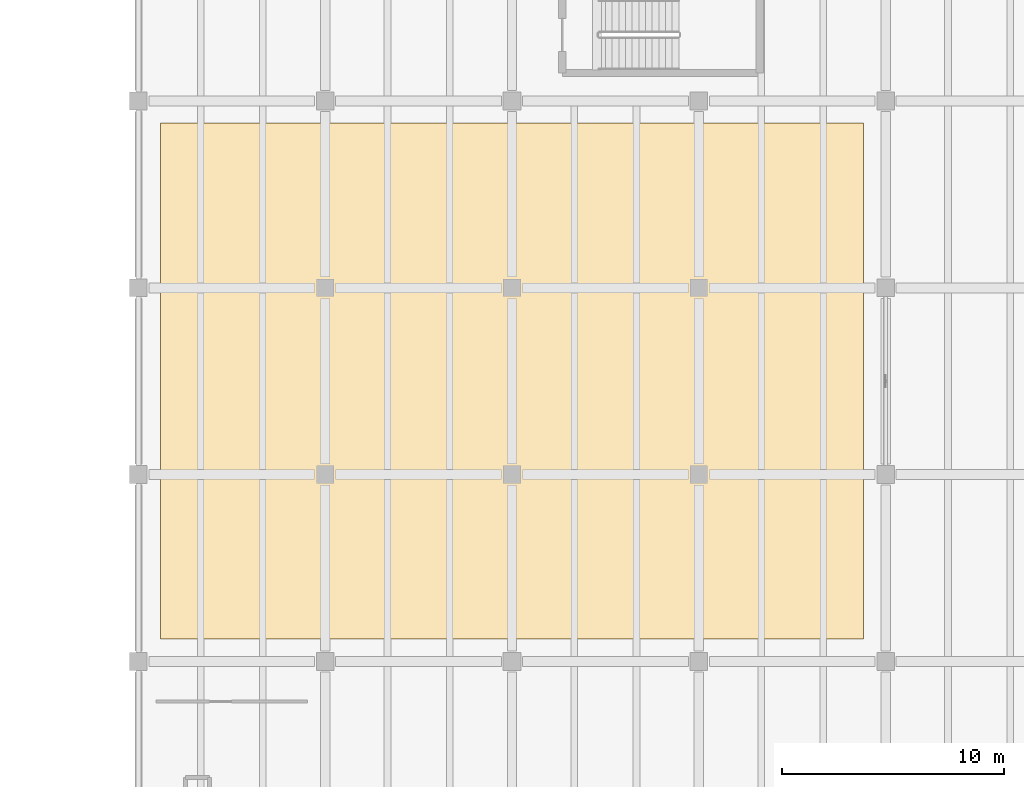
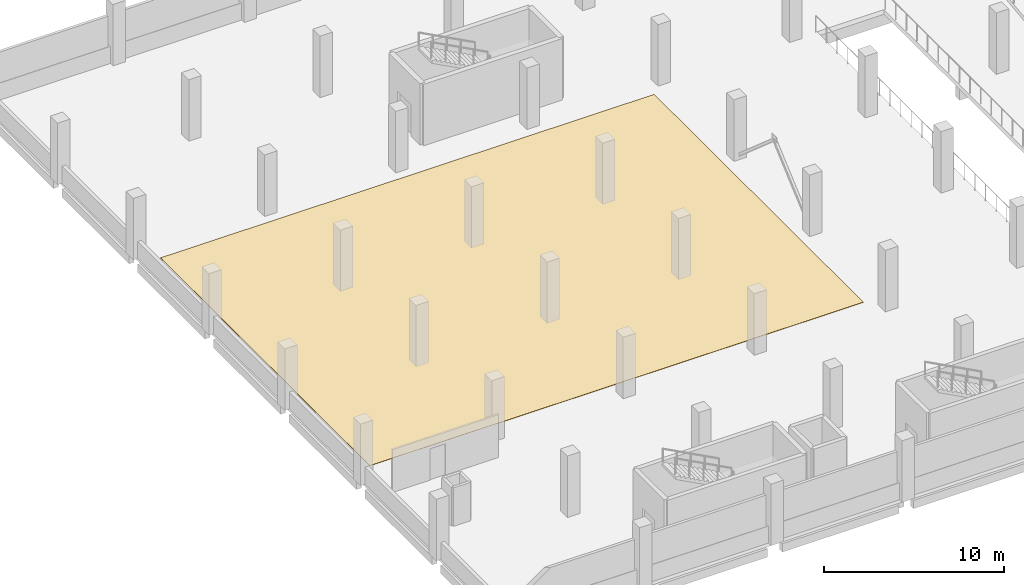
# One storey, part 165 of 177: 1 covering.
"""IFC4 building model written with IfcOpenShell, lengths in metres."""

import ifcopenshell
import ifcopenshell.guid

model = None  # the IFC model being written
_history = None  # IfcOwnerHistory: only IFC2X3 demands one
_inside = {}  # id of a spatial element -> (the spatial element, [elements in it])
_under = {}  # id of a project, library or spatial element -> (it, [spatial elements below it])
_declared = {}  # id of a project -> (the project, [libraries it declares])
_typed = {}  # id of a type object -> (the type object, [elements of that type])
_made_of = {}  # id of a material, layer set ... -> (it, [elements and type objects made of it])


def new_model(schema):
    """Start an empty IFC model of exactly this schema.

    Asked for "IFC4X3", IfcOpenShell would pick the latest addendum, in which some entities
    have other attributes; the version numbers below select the first issue.
    IFC2X3 requires an IfcOwnerHistory on every rooted entity: one is made here for all.
    """
    global model, _history
    if schema == "IFC4X3":
        model = ifcopenshell.file(schema_version=(4, 3, 0, 0))
    else:
        model = ifcopenshell.file(schema=schema)
    _inside.clear()
    _under.clear()
    _declared.clear()
    _typed.clear()
    _made_of.clear()
    _history = None
    if model.schema == "IFC2X3":
        org = make("IfcOrganization", Name="unknown")
        user = make(
            "IfcPersonAndOrganization",
            ThePerson=make("IfcPerson", FamilyName="unknown"),
            TheOrganization=org,
        )
        app = make(
            "IfcApplication",
            ApplicationDeveloper=org,
            Version="unknown",
            ApplicationFullName="unknown",
            ApplicationIdentifier="unknown",
        )
        _history = make(
            "IfcOwnerHistory",
            OwningUser=user,
            OwningApplication=app,
            ChangeAction="ADDED",
            CreationDate=0,
        )
    return model


def make(cls, **values):
    """One entity of the class cls with the attributes given. An attribute that is None is left unset."""
    return model.create_entity(
        cls, **{name: value for name, value in values.items() if value is not None}
    )


def rooted(cls, **values):
    """An entity with a GlobalId (a new one), such as an element, a storey or a relation."""
    return make(cls, GlobalId=ifcopenshell.guid.new(), OwnerHistory=_history, **values)


def si_unit(unit_type, name, prefix=None):
    """IfcSIUnit, for example si_unit("LENGTHUNIT", "METRE", prefix="MILLI")."""
    return make("IfcSIUnit", UnitType=unit_type, Prefix=prefix, Name=name)


def assignment(units):
    """IfcUnitAssignment: the units of a project."""
    return None if units is None else make("IfcUnitAssignment", Units=units)


def point(xyz):
    """IfcCartesianPoint."""
    return None if xyz is None else make("IfcCartesianPoint", Coordinates=xyz)


def direction(xyz):
    """IfcDirection."""
    return None if xyz is None else make("IfcDirection", DirectionRatios=xyz)


def frame(location, z_axis=None, x_axis=None):
    """IfcAxis2Placement3D, a coordinate frame: its origin and axes. An axis left out is left unset."""
    return make(
        "IfcAxis2Placement3D",
        Location=point(location),
        Axis=direction(z_axis),
        RefDirection=direction(x_axis),
    )


def origin():
    """The frame at (0, 0, 0) with its axes left unset."""
    return frame((0.0, 0.0, 0.0))


def place(relative_to, where):
    """IfcLocalPlacement: puts the frame where relative to a parent placement (None: the world)."""
    return make(
        "IfcLocalPlacement", PlacementRelTo=relative_to, RelativePlacement=where
    )


def context(
    kind, dimensions, precision=None, world=None, true_north=None, identifier=None
):
    """IfcGeometricRepresentationContext, for example the 3D "Model" context."""
    return make(
        "IfcGeometricRepresentationContext",
        ContextIdentifier=identifier,
        ContextType=kind,
        CoordinateSpaceDimension=dimensions,
        Precision=precision,
        WorldCoordinateSystem=world,
        TrueNorth=true_north,
    )


def subcontext(parent, identifier, kind, view, scale=None):
    """IfcGeometricRepresentationSubContext, for example "Body" below "Model"."""
    return make(
        "IfcGeometricRepresentationSubContext",
        ContextIdentifier=identifier,
        ContextType=kind,
        ParentContext=parent,
        TargetScale=scale,
        TargetView=view,
    )


def project(units=None, contexts=None):
    """IfcProject with its units and contexts."""
    return rooted(
        "IfcProject",
        Name="project",
        RepresentationContexts=contexts,
        UnitsInContext=assignment(units),
    )


def spatial(cls, under=None, at=None, **own):
    """A site, building, storey or space (cls), placed at a placement, below another one or the project."""
    s = rooted(cls, ObjectPlacement=at, **own)
    if under is not None:
        _under.setdefault(under.id(), (under, []))[1].append(s)
    return s


def polyline(points):
    """IfcPolyline through the points."""
    return make("IfcPolyline", Points=[point(p) for p in points])


def outline(outer, holes=None, kind="AREA"):
    """IfcArbitraryClosedProfileDef: a profile drawn as a closed curve; with holes, ...WithVoids."""
    if holes is None:
        return make("IfcArbitraryClosedProfileDef", ProfileType=kind, OuterCurve=outer)
    return make(
        "IfcArbitraryProfileDefWithVoids",
        ProfileType=kind,
        OuterCurve=outer,
        InnerCurves=holes,
    )


def extrude(swept, where, along, depth):
    """IfcExtrudedAreaSolid: the profile swept, set in the frame where, extruded along a direction by depth."""
    return make(
        "IfcExtrudedAreaSolid",
        SweptArea=swept,
        Position=where,
        ExtrudedDirection=direction(along),
        Depth=depth,
    )


def shape(context_of_items, identifier, shape_type, items):
    """IfcShapeRepresentation: the items that make up one representation, for example the "Body"."""
    return make(
        "IfcShapeRepresentation",
        ContextOfItems=context_of_items,
        RepresentationIdentifier=identifier,
        RepresentationType=shape_type,
        Items=items,
    )


def material(Name=None, Category=None):
    """IfcMaterial."""
    return make("IfcMaterial", Name=Name, Category=Category)


def layer(
    of_material, thickness, ventilated=None, Name=None, Category=None, Priority=None
):
    """IfcMaterialLayer: one layer of a wall or slab, of a material (None: an air gap)."""
    return make(
        "IfcMaterialLayer",
        Material=of_material,
        LayerThickness=thickness,
        IsVentilated=ventilated,
        Name=Name,
        Category=Category,
        Priority=Priority,
    )


def layer_set(layers, Name=None):
    """IfcMaterialLayerSet."""
    return make("IfcMaterialLayerSet", MaterialLayers=layers, LayerSetName=Name)


def made_of(thing, what):
    """Note that an element or type object is made of a material, layer set ...; save() writes the relation."""
    if what is not None:
        _made_of.setdefault(what.id(), (what, []))[1].append(thing)
    return thing


def type_object(cls, material=None, **own):
    """A type object (cls), such as IfcWallType, which elements share."""
    return made_of(rooted(cls, **own), material)


def element(
    cls,
    number,
    at=None,
    inside=None,
    cuts=None,
    type_object=None,
    material=None,
    context=None,
    identifier="Body",
    shape_type=None,
    held_by="IfcProductDefinitionShape",
    body=None,
    shapes=None,
    **own,
):
    """One element of the class cls, such as IfcWall. Its Tag is "e" and its number.

    at: its placement. inside: the storey or other place that contains it. cuts: it is an
    opening in that element (IfcRelVoidsElement). A single representation is given by context,
    identifier, shape_type and body (its items); several are given by shapes. held_by: the class
    of the entity that holds the representations. save() writes the other relations.
    """
    e = rooted(cls, Tag="e%d" % number, ObjectPlacement=at, **own)
    if body is not None:
        shapes = [shape(context, identifier, shape_type, body)]
    if shapes is not None:
        e.Representation = make(held_by, Representations=shapes)
    if inside is not None:
        _inside.setdefault(inside.id(), (inside, []))[1].append(e)
    if cuts is not None:
        rooted(
            "IfcRelVoidsElement", RelatingBuildingElement=cuts, RelatedOpeningElement=e
        )
    if type_object is not None:
        _typed.setdefault(type_object.id(), (type_object, []))[1].append(e)
    return made_of(e, material)


def aggregate(whole, parts):
    """IfcRelAggregates: a whole, such as a stair, and the parts it consists of."""
    return rooted("IfcRelAggregates", RelatingObject=whole, RelatedObjects=parts)


def save(model, path):
    """Write the relations noted so far, then the file.

    IfcRelAggregates (storeys below a building ...), IfcRelContainedInSpatialStructure (elements
    in a storey), IfcRelDefinesByType, IfcRelAssociatesMaterial and IfcRelDeclares: one each for
    every whole, place, type object, material and project.
    """
    for whole, parts in _under.values():
        aggregate(whole, parts)
    for where, things in _inside.values():
        rooted(
            "IfcRelContainedInSpatialStructure",
            RelatedElements=things,
            RelatingStructure=where,
        )
    for kind, things in _typed.values():
        rooted("IfcRelDefinesByType", RelatedObjects=things, RelatingType=kind)
    for what, things in _made_of.values():
        rooted("IfcRelAssociatesMaterial", RelatedObjects=things, RelatingMaterial=what)
    for by, libraries in _declared.values():
        rooted("IfcRelDeclares", RelatingContext=by, RelatedDefinitions=libraries)
    model.write(path)


model = new_model("IFC4")

# Units and contexts
model_context = context("Model", 3, precision=1e-05, world=origin(), true_north=direction((0.0, 1.0)))
body_context = subcontext(model_context, "Body", "Model", "MODEL_VIEW")
ifc_project = project(units=[si_unit("LENGTHUNIT", "METRE"), si_unit("AREAUNIT", "SQUARE_METRE"), si_unit("VOLUMEUNIT", "CUBIC_METRE"), si_unit("PLANEANGLEUNIT", "RADIAN"), si_unit("MASSUNIT", "GRAM", prefix="KILO"), si_unit("THERMODYNAMICTEMPERATUREUNIT", "KELVIN"), si_unit("POWERUNIT", "WATT")], contexts=[model_context])

# Site, building, storey
site_placement = place(None, origin())
site = spatial("IfcSite", under=ifc_project, at=site_placement, CompositionType="ELEMENT")
building_placement = place(site_placement, origin())
building = spatial("IfcBuilding", under=site, at=building_placement, Name="Mavoryth Pier Ferry Terminal", CompositionType="ELEMENT")
storey_placement = place(building_placement, frame((0.0, 0.0, 5.43994140625)))
storey = spatial("IfcBuildingStorey", under=building, at=storey_placement, Name="L01", CompositionType="ELEMENT", Elevation=5.43994140625)

# Covering
ifc_material = material(Name="Heavy-Duty Quartz Anti-Slip Deck Coating")
ifc_layer = layer(ifc_material, 0.02001953125, Name="Heavy-Duty Quartz Anti-Slip Deck Coating")
ifc_layer_set = layer_set([ifc_layer], Name="Heavy-Duty Quartz Anti-Slip Deck Coating - Floor-DeckEpoxy-20")
covering_type = type_object("IfcCoveringType", Name="Floor-DeckEpoxy-20", PredefinedType="FLOORING", material=ifc_layer_set)
covering_placement = place(storey_placement, origin())
element("IfcCovering", 1, at=covering_placement, inside=storey, type_object=covering_type, Name="Covering COV-L01-006", PredefinedType="FLOORING", context=body_context, shape_type="SweptSolid", body=[
    extrude(outline(polyline([(110.199951171875, 31.39990234375), (141.800048828125, 31.39990234375), (141.800048828125, 54.60009765625), (110.199951171875, 54.60009765625), (110.199951171875, 31.39990234375)])), origin(), (0.0, 0.0, 1.0), 0.02001953125),
])

save(model, "model.ifc")
